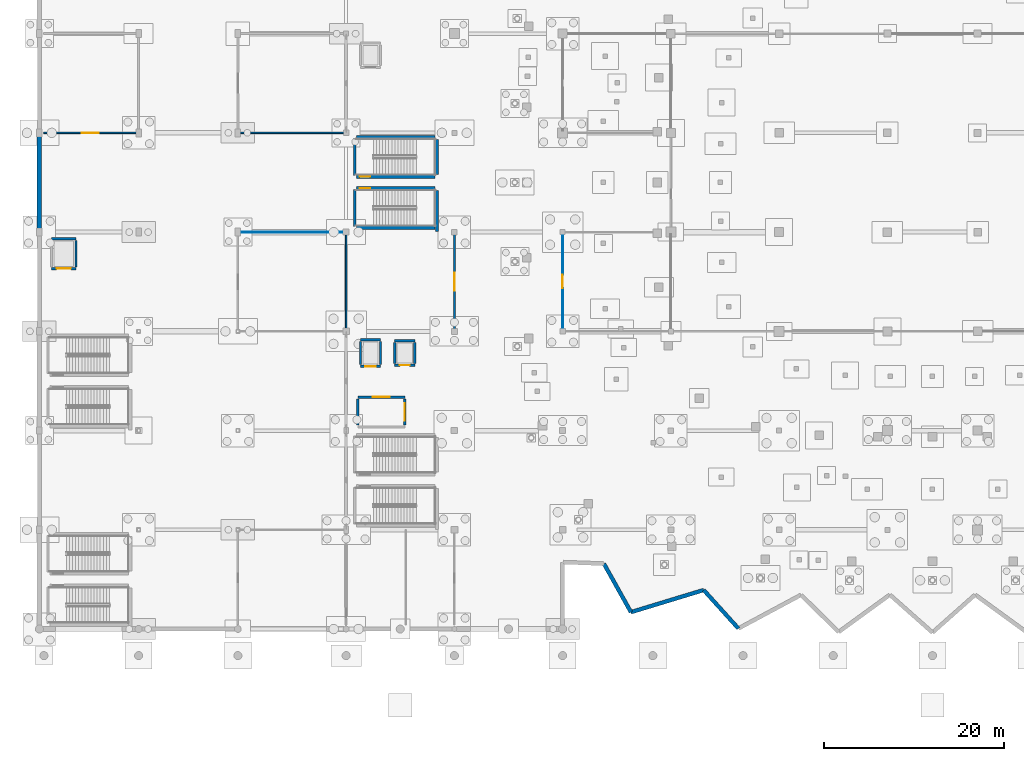
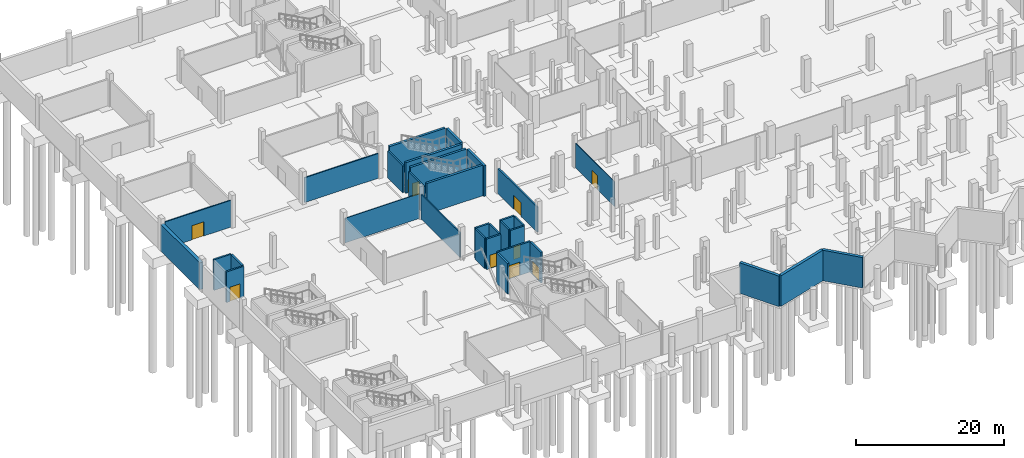
# One storey, part 30 of 60: 32 walls, 10 doors, 10 openings.
"""IFC4 building model written with IfcOpenShell, lengths in metres."""

from ifc_helpers import new_model, si_unit, direction, frame, frame_2d, origin, place, context, subcontext, project, spatial, rectangle, extrude, material, layer, layer_set, type_object, element, fill, save


model = new_model("IFC4")

# Units and contexts
model_context = context("Model", 3, precision=1e-05, world=origin(), true_north=direction((0.0, 1.0)))
body_context = subcontext(model_context, "Body", "Model", "MODEL_VIEW")
ifc_project = project(units=[si_unit("LENGTHUNIT", "METRE"), si_unit("AREAUNIT", "SQUARE_METRE"), si_unit("VOLUMEUNIT", "CUBIC_METRE"), si_unit("PLANEANGLEUNIT", "RADIAN"), si_unit("MASSUNIT", "GRAM", prefix="KILO")], contexts=[model_context])

# Site, building, storey
site_placement = place(None, origin())
site = spatial("IfcSite", under=ifc_project, at=site_placement, CompositionType="ELEMENT")
building_placement = place(site_placement, origin())
building = spatial("IfcBuilding", under=site, at=building_placement, Name="Luwafu Chhajja Arena", CompositionType="ELEMENT")
storey_placement = place(building_placement, frame((0.0, 0.0, -5.39990234375)))
storey = spatial("IfcBuildingStorey", under=building, at=storey_placement, Name="B1", CompositionType="ELEMENT", Elevation=-5.39990234375)

# Wall, opening, door
ifc_material_1 = material(Name="Concrete blockwork masonry", Category="masonry")
ifc_layer_1 = layer(ifc_material_1, 0.239990234375, Name="Concrete blockwork masonry")
ifc_layer_set_1 = layer_set([ifc_layer_1], Name="Concrete blockwork masonry")
wall_type_1 = type_object("IfcWallType", Name="Compartment Masonry Partition 240", PredefinedType="PARTITIONING", material=ifc_layer_set_1)
wall_1_placement = place(storey_placement, frame((46.0, 33.219970703125, 0.0), z_axis=(0.0, 0.0, 1.0), x_axis=(0.0, 1.0, 0.0)))
wall_1 = element("IfcWall", 1, at=wall_1_placement, inside=storey, type_object=wall_type_1, Name="B1 Internal Partition 0031", PredefinedType="PARTITIONING", context=body_context, shape_type="SweptSolid", body=[
    extrude(rectangle(XDim=10.56005859375, YDim=0.239990234375, at=frame_2d((5.280029296875, 0.0))), origin(), (0.0, 0.0, 1.0), 4.1298828125),
])
opening_1_placement = place(wall_1_placement, frame((4.280029296875, 0.0, 0.0)))
opening_1 = element("IfcOpeningElement", 2, at=opening_1_placement, cuts=wall_1, Name="Opening DR-08", PredefinedType="OPENING", context=body_context, shape_type="SweptSolid", body=[
    extrude(rectangle(XDim=2.0, YDim=2.25, at=frame_2d((1.0, 1.125))), frame((0.0, 0.1298828125, 0.0), z_axis=(0.0, -1.0, 0.0), x_axis=(1.0, 0.0, 0.0)), (0.0, 0.0, 1.0), 0.260009765625),
])
ifc_material_2 = material(Name="Fire-rated hardwood double leaf", Category="wood")
door_type_1 = type_object("IfcDoorType", Name="DR-08", OperationType="DOUBLE_DOOR_SINGLE_SWING", PredefinedType="DOOR", material=ifc_material_2)
door_1_placement = place(opening_1_placement, origin())
door_1 = element("IfcDoor", 3, at=door_1_placement, inside=storey, type_object=door_type_1, Name="B1 Interior Door B1-D037", OperationType="DOUBLE_DOOR_SINGLE_SWING", OverallHeight=2.25, OverallWidth=2.0, PredefinedType="DOOR", context=body_context, shape_type="SweptSolid", body=[
    extrude(rectangle(XDim=2.0, YDim=2.25, at=frame_2d((1.0, 1.125))), frame((0.0, 0.02490234375, 0.0), z_axis=(0.0, -1.0, 0.0), x_axis=(1.0, 0.0, 0.0)), (0.0, 0.0, 1.0), 0.050048828125),
])
fill(opening_1, door_1)

# Wall
ifc_material_3 = material(Name="Gypsum plasterboard partition")
ifc_layer_2 = layer(ifc_material_3, 0.10009765625, Name="Gypsum plasterboard partition")
ifc_layer_set_2 = layer_set([ifc_layer_2], Name="Gypsum plasterboard partition")
wall_type_2 = type_object("IfcWallType", Name="Drywall Lining Partition 100", PredefinedType="PARTITIONING", material=ifc_layer_set_2)
wall_2_placement = place(storey_placement, frame((22.219970703125, 44.0, 0.0), z_axis=(0.0, 0.0, 1.0), x_axis=(1.0, 0.0, 0.0)))
element("IfcWall", 4, at=wall_2_placement, inside=storey, type_object=wall_type_2, Name="B1 Internal Partition 0025", PredefinedType="PARTITIONING", context=body_context, shape_type="SweptSolid", body=[
    extrude(rectangle(XDim=11.56005859375, YDim=0.10009765625, at=frame_2d((5.780029296875, 0.0))), origin(), (0.0, 0.0, 1.0), 4.079833984375),
])

# Wall, opening, door
wall_3_placement = place(storey_placement, frame((58.0, 33.219970703125, 0.0), z_axis=(0.0, 0.0, 1.0), x_axis=(0.0, 1.0, 0.0)))
wall_3 = element("IfcWall", 5, at=wall_3_placement, inside=storey, type_object=wall_type_2, Name="B1 Internal Partition 0035", PredefinedType="PARTITIONING", context=body_context, shape_type="SweptSolid", body=[
    extrude(rectangle(XDim=10.56005859375, YDim=0.10009765625, at=frame_2d((5.280029296875, 0.0))), origin(), (0.0, 0.0, 1.0), 4.079833984375),
])
opening_2_placement = place(wall_3_placement, frame((4.530029296875, 0.0, 0.0)))
opening_2 = element("IfcOpeningElement", 6, at=opening_2_placement, cuts=wall_3, Name="Opening DR-30", PredefinedType="OPENING", context=body_context, shape_type="SweptSolid", body=[
    extrude(rectangle(XDim=1.5, YDim=2.300048828125, at=frame_2d((0.75, 1.14990234375))), frame((0.0, 0.06005859375, 0.0), z_axis=(0.0, -1.0, 0.0), x_axis=(1.0, 0.0, 0.0)), (0.0, 0.0, 1.0), 0.1201171875),
])
ifc_material_4 = material(Name="Anodised bronze glazed double door")
door_type_2 = type_object("IfcDoorType", Name="DR-30", OperationType="DOUBLE_DOOR_SINGLE_SWING", PredefinedType="DOOR", material=ifc_material_4)
door_2_placement = place(opening_2_placement, origin())
door_2 = element("IfcDoor", 7, at=door_2_placement, inside=storey, type_object=door_type_2, Name="B1 Interior Door B1-D040", OperationType="DOUBLE_DOOR_SINGLE_SWING", OverallHeight=2.300048828125, OverallWidth=1.5, PredefinedType="DOOR", context=body_context, shape_type="SweptSolid", body=[
    extrude(rectangle(XDim=1.5, YDim=2.300048828125, at=frame_2d((0.75, 1.14990234375))), frame((0.0, 0.02490234375, 0.0), z_axis=(0.0, -1.0, 0.0), x_axis=(1.0, 0.0, 0.0)), (0.0, 0.0, 1.0), 0.050048828125),
])
fill(opening_2, door_2)

ifc_material_5 = material(Name="Concrete C40/50", Category="concrete")
ifc_layer_3 = layer(ifc_material_5, 0.260009765625, Name="Concrete C40/50")
ifc_layer_set_3 = layer_set([ifc_layer_3], Name="Concrete C40/50")
wall_type_3 = type_object("IfcWallType", Name="Firefighting Lobby Wall 260", PredefinedType="SOLIDWALL", material=ifc_layer_set_3)
wall_4_placement = place(storey_placement, frame((35.300048828125, 25.699951171875, 0.0), z_axis=(0.0, 0.0, 1.0), x_axis=(1.0, 0.0, 0.0)))
wall_4 = element("IfcWall", 8, at=wall_4_placement, inside=storey, type_object=wall_type_3, Name="B1 Core C1 Firefighting Lobby Wall N", PredefinedType="SOLIDWALL", context=body_context, shape_type="SweptSolid", body=[
    extrude(rectangle(XDim=5.199951171875, YDim=0.260009765625, at=frame_2d((2.60009765625, 0.0))), origin(), (0.0, 0.0, 1.0), 5.039794921875),
])
opening_3_placement = place(wall_4_placement, frame((1.64990234375, 0.0, 0.0)))
opening_3 = element("IfcOpeningElement", 9, at=opening_3_placement, cuts=wall_4, Name="Opening DR-07", PredefinedType="OPENING", context=body_context, shape_type="SweptSolid", body=[
    extrude(rectangle(XDim=1.89990234375, YDim=2.199951171875, at=frame_2d((0.949951171875, 1.10009765625))), frame((0.0, 0.139892578125, 0.0), z_axis=(0.0, -1.0, 0.0), x_axis=(1.0, 0.0, 0.0)), (0.0, 0.0, 1.0), 0.280029296875),
])
ifc_material_6 = material(Name="Fire-rated hardwood and vision panel", Category="wood")
door_type_3 = type_object("IfcDoorType", Name="DR-07", OperationType="DOUBLE_DOOR_SINGLE_SWING", PredefinedType="DOOR", material=ifc_material_6)
door_3_placement = place(opening_3_placement, origin())
door_3 = element("IfcDoor", 10, at=door_3_placement, inside=storey, type_object=door_type_3, Name="B1 Firefighting Lobby C1 Door B1-D003", OperationType="DOUBLE_DOOR_SINGLE_SWING", OverallHeight=2.199951171875, OverallWidth=1.89990234375, PredefinedType="DOOR", context=body_context, shape_type="SweptSolid", body=[
    extrude(rectangle(XDim=1.89990234375, YDim=2.199951171875, at=frame_2d((0.949951171875, 1.10009765625))), frame((0.0, 0.02490234375, 0.0), z_axis=(0.0, -1.0, 0.0), x_axis=(1.0, 0.0, 0.0)), (0.0, 0.0, 1.0), 0.050048828125),
])
fill(opening_3, door_3)

# Wall
wall_5_placement = place(storey_placement, frame((35.300048828125, 22.60009765625, 0.0), z_axis=(0.0, 0.0, 1.0), x_axis=(0.0, 1.0, 0.0)))
element("IfcWall", 11, at=wall_5_placement, inside=storey, type_object=wall_type_3, Name="B1 Core C1 Firefighting Lobby Wall W", PredefinedType="SOLIDWALL", context=body_context, shape_type="SweptSolid", body=[
    extrude(rectangle(XDim=2.89990234375, YDim=0.260009765625, at=frame_2d((1.449951171875, 0.0))), origin(), (0.0, 0.0, 1.0), 5.039794921875),
])

# Wall, opening, door
wall_6_placement = place(storey_placement, frame((40.5, 22.60009765625, 0.0), z_axis=(0.0, 0.0, 1.0), x_axis=(0.0, 1.0, 0.0)))
wall_6 = element("IfcWall", 12, at=wall_6_placement, inside=storey, type_object=wall_type_3, Name="B1 Core C1 Firefighting Lobby Wall E", PredefinedType="SOLIDWALL", context=body_context, shape_type="SweptSolid", body=[
    extrude(rectangle(XDim=2.89990234375, YDim=0.260009765625, at=frame_2d((1.449951171875, 0.0))), origin(), (0.0, 0.0, 1.0), 5.039794921875),
])
opening_4_placement = place(wall_6_placement, frame((0.5, 0.0, 0.0)))
opening_4 = element("IfcOpeningElement", 13, at=opening_4_placement, cuts=wall_6, Name="Opening DR-07", PredefinedType="OPENING", context=body_context, shape_type="SweptSolid", body=[
    extrude(rectangle(XDim=1.89990234375, YDim=2.199951171875, at=frame_2d((0.949951171875, 1.10009765625))), frame((0.0, 0.139892578125, 0.0), z_axis=(0.0, -1.0, 0.0), x_axis=(1.0, 0.0, 0.0)), (0.0, 0.0, 1.0), 0.280029296875),
])
door_4_placement = place(opening_4_placement, origin())
door_4 = element("IfcDoor", 14, at=door_4_placement, inside=storey, type_object=door_type_3, Name="B1 Firefighting Lobby C1 Door B1-D004", OperationType="DOUBLE_DOOR_SINGLE_SWING", OverallHeight=2.199951171875, OverallWidth=1.89990234375, PredefinedType="DOOR", context=body_context, shape_type="SweptSolid", body=[
    extrude(rectangle(XDim=1.89990234375, YDim=2.199951171875, at=frame_2d((0.949951171875, 1.10009765625))), frame((0.0, 0.02490234375, 0.0), z_axis=(0.0, -1.0, 0.0), x_axis=(1.0, 0.0, 0.0)), (0.0, 0.0, 1.0), 0.050048828125),
])
fill(opening_4, door_4)

ifc_layer_4 = layer(ifc_material_1, 0.179931640625, Name="Concrete blockwork masonry")
ifc_layer_set_4 = layer_set([ifc_layer_4], Name="Concrete blockwork masonry")
wall_type_4 = type_object("IfcWallType", Name="Hospitality Suite Partition 180", PredefinedType="PARTITIONING", material=ifc_layer_set_4)
wall_7_placement = place(storey_placement, frame((0.47998046875, 55.0, 0.0), z_axis=(0.0, 0.0, 1.0), x_axis=(1.0, 0.0, 0.0)))
wall_7 = element("IfcWall", 15, at=wall_7_placement, inside=storey, type_object=wall_type_4, Name="B1 Internal Partition 0013", PredefinedType="PARTITIONING", context=body_context, shape_type="SweptSolid", body=[
    extrude(rectangle(XDim=10.300048828125, YDim=0.179931640625, at=frame_2d((5.14990234375, 0.0))), origin(), (0.0, 0.0, 1.0), 4.40966796875),
])
opening_5_placement = place(wall_7_placement, frame((4.22509765625, 0.0, 0.0)))
opening_5 = element("IfcOpeningElement", 16, at=opening_5_placement, cuts=wall_7, Name="Opening DR-15", PredefinedType="OPENING", context=body_context, shape_type="SweptSolid", body=[
    extrude(rectangle(XDim=1.85009765625, YDim=2.35009765625, at=frame_2d((0.925048828125, 1.175048828125))), frame((0.0, 0.099853515625, 0.0), z_axis=(0.0, -1.0, 0.0), x_axis=(1.0, 0.0, 0.0)), (0.0, 0.0, 1.0), 0.199951171875),
])
ifc_material_7 = material(Name="Anodised bronze and acoustic glass", Category="glass")
door_type_4 = type_object("IfcDoorType", Name="DR-15", OperationType="DOUBLE_DOOR_SINGLE_SWING", PredefinedType="DOOR", material=ifc_material_7)
door_5_placement = place(opening_5_placement, origin())
door_5 = element("IfcDoor", 17, at=door_5_placement, inside=storey, type_object=door_type_4, Name="B1 Interior Door B1-D030", OperationType="DOUBLE_DOOR_SINGLE_SWING", OverallHeight=2.35009765625, OverallWidth=1.85009765625, PredefinedType="DOOR", context=body_context, shape_type="SweptSolid", body=[
    extrude(rectangle(XDim=1.85009765625, YDim=2.35009765625, at=frame_2d((0.925048828125, 1.175048828125))), frame((0.0, 0.02490234375, 0.0), z_axis=(0.0, -1.0, 0.0), x_axis=(1.0, 0.0, 0.0)), (0.0, 0.0, 1.0), 0.050048828125),
])
fill(opening_5, door_5)

# Walls
wall_8_placement = place(storey_placement, frame((22.219970703125, 55.0, 0.0), z_axis=(0.0, 0.0, 1.0), x_axis=(1.0, 0.0, 0.0)))
element("IfcWall", 18, at=wall_8_placement, inside=storey, type_object=wall_type_4, Name="B1 Internal Partition 0026", PredefinedType="PARTITIONING", context=body_context, shape_type="SweptSolid", body=[
    extrude(rectangle(XDim=11.56005859375, YDim=0.179931640625, at=frame_2d((5.780029296875, 0.0))), origin(), (0.0, 0.0, 1.0), 4.079833984375),
])
wall_9_placement = place(storey_placement, frame((34.0, 33.219970703125, 0.0), z_axis=(0.0, 0.0, 1.0), x_axis=(0.0, 1.0, 0.0)))
element("IfcWall", 19, at=wall_9_placement, inside=storey, type_object=wall_type_4, Name="B1 Internal Partition 0103", PredefinedType="PARTITIONING", context=body_context, shape_type="SweptSolid", body=[
    extrude(rectangle(XDim=10.56005859375, YDim=0.179931640625, at=frame_2d((5.280029296875, 0.0))), origin(), (0.0, 0.0, 1.0), 4.079833984375),
])

# Wall, opening, door
ifc_material_8 = material(Name="Concrete C35/45", Category="concrete")
ifc_layer_5 = layer(ifc_material_8, 0.260009765625, Name="Concrete C35/45")
ifc_layer_set_5 = layer_set([ifc_layer_5], Name="Concrete C35/45")
wall_type_5 = type_object("IfcWallType", Name="Lift and Riser Shaft Wall 260", PredefinedType="SOLIDWALL", material=ifc_layer_set_5)
wall_10_placement = place(storey_placement, frame((35.590087890625, 29.114990234375, 0.0), z_axis=(0.0, 0.0, 1.0), x_axis=(1.0, 0.0, 0.0)))
wall_10 = element("IfcWall", 20, at=wall_10_placement, inside=storey, type_object=wall_type_5, Name="B1 Lift LF-01 Shaft Wall S", PredefinedType="SOLIDWALL", context=body_context, shape_type="SweptSolid", body=[
    extrude(rectangle(XDim=2.219970703125, YDim=0.260009765625, at=frame_2d((1.10986328125, 0.0))), origin(), (0.0, 0.0, 1.0), 5.039794921875),
])
opening_6_placement = place(wall_10_placement, frame((0.510009765625, 0.0, 0.0)))
opening_6 = element("IfcOpeningElement", 21, at=opening_6_placement, cuts=wall_10, Name="Opening LD-02", PredefinedType="OPENING", context=body_context, shape_type="SweptSolid", body=[
    extrude(rectangle(XDim=1.199951171875, YDim=2.199951171875, at=frame_2d((0.60009765625, 1.10009765625))), frame((0.0, 0.139892578125, 0.0), z_axis=(0.0, -1.0, 0.0), x_axis=(1.0, 0.0, 0.0)), (0.0, 0.0, 1.0), 0.280029296875),
])
ifc_material_9 = material(Name="Brushed stainless steel sliding leaves", Category="steel")
door_type_5 = type_object("IfcDoorType", Name="LD-02", OperationType="SLIDING_TO_LEFT", PredefinedType="DOOR", material=ifc_material_9)
door_6_placement = place(opening_6_placement, origin())
door_6 = element("IfcDoor", 22, at=door_6_placement, inside=storey, type_object=door_type_5, Name="B1 Lift LF-01 Landing Door B1-LD01", OperationType="SLIDING_TO_LEFT", OverallHeight=2.199951171875, OverallWidth=1.199951171875, PredefinedType="DOOR", context=body_context, shape_type="SweptSolid", body=[
    extrude(rectangle(XDim=1.199951171875, YDim=2.199951171875, at=frame_2d((0.60009765625, 1.10009765625))), frame((0.0, 0.02490234375, 0.0), z_axis=(0.0, -1.0, 0.0), x_axis=(1.0, 0.0, 0.0)), (0.0, 0.0, 1.0), 0.050048828125),
])
fill(opening_6, door_6)

# Walls
wall_11_placement = place(storey_placement, frame((35.590087890625, 32.0849609375, 0.0), z_axis=(0.0, 0.0, 1.0), x_axis=(1.0, 0.0, 0.0)))
element("IfcWall", 23, at=wall_11_placement, inside=storey, type_object=wall_type_5, Name="B1 Lift LF-01 Shaft Wall N", PredefinedType="SOLIDWALL", context=body_context, shape_type="SweptSolid", body=[
    extrude(rectangle(XDim=2.219970703125, YDim=0.260009765625, at=frame_2d((1.10986328125, 0.0))), origin(), (0.0, 0.0, 1.0), 5.039794921875),
])
for number, where, z_axis, x_axis, name in (
    (24, (35.590087890625, 29.31494140625, 0.0), (0.0, 0.0, 1.0), (0.0, 1.0, 0.0), "B1 Lift LF-01 Shaft Wall W"),
    (25, (37.81005859375, 29.31494140625, 0.0), (0.0, 0.0, 1.0), (0.0, 1.0, 0.0), "B1 Lift LF-01 Shaft Wall E"),
):
    element("IfcWall", number, at=place(storey_placement, frame(where, z_axis=z_axis, x_axis=x_axis)), inside=storey, type_object=wall_type_5, Name=name, PredefinedType="SOLIDWALL", context=body_context, shape_type="SweptSolid", body=[
        extrude(rectangle(XDim=2.570068359375, YDim=0.260009765625, at=frame_2d((1.28515625, 0.0))), origin(), (0.0, 0.0, 1.0), 5.039794921875),
    ])

# Wall, opening, door
wall_12_placement = place(storey_placement, frame((39.389892578125, 29.239990234375, 0.0), z_axis=(0.0, 0.0, 1.0), x_axis=(1.0, 0.0, 0.0)))
wall_12 = element("IfcWall", 26, at=wall_12_placement, inside=storey, type_object=wall_type_5, Name="B1 Lift LF-05 Shaft Wall S", PredefinedType="SOLIDWALL", context=body_context, shape_type="SweptSolid", body=[
    extrude(rectangle(XDim=2.22021484375, YDim=0.260009765625, at=frame_2d((1.110107421875, 0.0))), origin(), (0.0, 0.0, 1.0), 5.039794921875),
])
opening_7_placement = place(wall_12_placement, frame((0.56005859375, 0.0, 0.0)))
opening_7 = element("IfcOpeningElement", 27, at=opening_7_placement, cuts=wall_12, Name="Opening LD-01", PredefinedType="OPENING", context=body_context, shape_type="SweptSolid", body=[
    extrude(rectangle(XDim=1.10009765625, YDim=2.14990234375, at=frame_2d((0.550048828125, 1.074951171875))), frame((0.0, 0.139892578125, 0.0), z_axis=(0.0, -1.0, 0.0), x_axis=(1.0, 0.0, 0.0)), (0.0, 0.0, 1.0), 0.280029296875),
])
door_type_6 = type_object("IfcDoorType", Name="LD-01", OperationType="SLIDING_TO_LEFT", PredefinedType="DOOR", material=ifc_material_9)
door_7_placement = place(opening_7_placement, origin())
door_7 = element("IfcDoor", 28, at=door_7_placement, inside=storey, type_object=door_type_6, Name="B1 Lift LF-05 Landing Door B1-LD02", OperationType="SLIDING_TO_LEFT", OverallHeight=2.14990234375, OverallWidth=1.10009765625, PredefinedType="DOOR", context=body_context, shape_type="SweptSolid", body=[
    extrude(rectangle(XDim=1.10009765625, YDim=2.14990234375, at=frame_2d((0.550048828125, 1.074951171875))), frame((0.0, 0.02490234375, 0.0), z_axis=(0.0, -1.0, 0.0), x_axis=(1.0, 0.0, 0.0)), (0.0, 0.0, 1.0), 0.050048828125),
])
fill(opening_7, door_7)

# Walls
wall_13_placement = place(storey_placement, frame((39.389892578125, 31.9599609375, 0.0), z_axis=(0.0, 0.0, 1.0), x_axis=(1.0, 0.0, 0.0)))
element("IfcWall", 29, at=wall_13_placement, inside=storey, type_object=wall_type_5, Name="B1 Lift LF-05 Shaft Wall N", PredefinedType="SOLIDWALL", context=body_context, shape_type="SweptSolid", body=[
    extrude(rectangle(XDim=2.22021484375, YDim=0.260009765625, at=frame_2d((1.110107421875, 0.0))), origin(), (0.0, 0.0, 1.0), 5.039794921875),
])
for number, where, z_axis, x_axis, name in (
    (30, (39.389892578125, 29.43994140625, 0.0), (0.0, 0.0, 1.0), (0.0, 1.0, 0.0), "B1 Lift LF-05 Shaft Wall W"),
    (31, (41.610107421875, 29.43994140625, 0.0), (0.0, 0.0, 1.0), (0.0, 1.0, 0.0), "B1 Lift LF-05 Shaft Wall E"),
):
    element("IfcWall", number, at=place(storey_placement, frame(where, z_axis=z_axis, x_axis=x_axis)), inside=storey, type_object=wall_type_5, Name=name, PredefinedType="SOLIDWALL", context=body_context, shape_type="SweptSolid", body=[
        extrude(rectangle(XDim=2.320068359375, YDim=0.260009765625, at=frame_2d((1.16015625, 0.0))), origin(), (0.0, 0.0, 1.0), 5.039794921875),
    ])

# Wall, opening, door
wall_14_placement = place(storey_placement, frame((1.340087890625, 39.93994140625, 0.0), z_axis=(0.0, 0.0, 1.0), x_axis=(1.0, 0.0, 0.0)))
wall_14 = element("IfcWall", 32, at=wall_14_placement, inside=storey, type_object=wall_type_5, Name="B1 Lift LF-11 Shaft Wall S", PredefinedType="SOLIDWALL", context=body_context, shape_type="SweptSolid", body=[
    extrude(rectangle(XDim=2.719970703125, YDim=0.260009765625, at=frame_2d((1.35986328125, 0.0))), origin(), (0.0, 0.0, 1.0), 5.039794921875),
])
opening_8_placement = place(wall_14_placement, frame((0.56005859375, 0.0, 0.0)))
opening_8 = element("IfcOpeningElement", 33, at=opening_8_placement, cuts=wall_14, Name="Opening LD-03", PredefinedType="OPENING", context=body_context, shape_type="SweptSolid", body=[
    extrude(rectangle(XDim=1.60009765625, YDim=2.35009765625, at=frame_2d((0.800048828125, 1.175048828125))), frame((0.0, 0.139892578125, 0.0), z_axis=(0.0, -1.0, 0.0), x_axis=(1.0, 0.0, 0.0)), (0.0, 0.0, 1.0), 0.280029296875),
])
door_type_7 = type_object("IfcDoorType", Name="LD-03", OperationType="DOUBLE_DOOR_SLIDING", PredefinedType="DOOR", material=ifc_material_9)
door_8_placement = place(opening_8_placement, origin())
door_8 = element("IfcDoor", 34, at=door_8_placement, inside=storey, type_object=door_type_7, Name="B1 Lift LF-11 Landing Door B1-LD11", OperationType="DOUBLE_DOOR_SLIDING", OverallHeight=2.35009765625, OverallWidth=1.60009765625, PredefinedType="DOOR", context=body_context, shape_type="SweptSolid", body=[
    extrude(rectangle(XDim=1.60009765625, YDim=2.35009765625, at=frame_2d((0.800048828125, 1.175048828125))), frame((0.0, 0.02490234375, 0.0), z_axis=(0.0, -1.0, 0.0), x_axis=(1.0, 0.0, 0.0)), (0.0, 0.0, 1.0), 0.050048828125),
])
fill(opening_8, door_8)

# Walls
wall_15_placement = place(storey_placement, frame((1.340087890625, 43.260009765625, 0.0), z_axis=(0.0, 0.0, 1.0), x_axis=(1.0, 0.0, 0.0)))
element("IfcWall", 35, at=wall_15_placement, inside=storey, type_object=wall_type_5, Name="B1 Lift LF-11 Shaft Wall N", PredefinedType="SOLIDWALL", context=body_context, shape_type="SweptSolid", body=[
    extrude(rectangle(XDim=2.719970703125, YDim=0.260009765625, at=frame_2d((1.35986328125, 0.0))), origin(), (0.0, 0.0, 1.0), 5.039794921875),
])
wall_16_placement = place(storey_placement, frame((4.06005859375, 40.139892578125, 0.0), z_axis=(0.0, 0.0, 1.0), x_axis=(0.0, 1.0, 0.0)))
element("IfcWall", 36, at=wall_16_placement, inside=storey, type_object=wall_type_5, Name="B1 Lift LF-11 Shaft Wall E", PredefinedType="SOLIDWALL", context=body_context, shape_type="SweptSolid", body=[
    extrude(rectangle(XDim=2.920166015625, YDim=0.260009765625, at=frame_2d((1.4599609375, 0.0))), origin(), (0.0, 0.0, 1.0), 5.039794921875),
])
ifc_layer_6 = layer(ifc_material_5, 0.43994140625, Name="Concrete C40/50")
ifc_layer_set_6 = layer_set([ifc_layer_6], Name="Concrete C40/50")
wall_type_6 = type_object("IfcWallType", Name="RC Basement Retaining Wall 440", PredefinedType="SOLIDWALL", material=ifc_layer_set_6)
wall_17_placement = place(storey_placement, frame((62.57421875, 7.23681640625, 0.0), z_axis=(0.0, 0.0, 1.0), x_axis=(0.487306352228, -0.87323108, 0.0)))
element("IfcWall", 37, at=wall_17_placement, inside=storey, type_object=wall_type_6, Name="B1 Pleated Bowl V-Fold Wall 42", PredefinedType="SOLIDWALL", context=body_context, shape_type="SweptSolid", body=[
    extrude(rectangle(XDim=6.15283203125, YDim=0.43994140625, at=frame_2d((3.076416015625, 0.0))), origin(), (0.0, 0.0, 1.0), 5.034912109375),
])
wall_18_placement = place(storey_placement, frame((65.572509765625, 1.864013671875, 0.0), z_axis=(0.0, 0.0, 1.0), x_axis=(0.956738407321, 0.290949514446, 0.0)))
element("IfcWall", 38, at=wall_18_placement, inside=storey, type_object=wall_type_6, Name="B1 Pleated Bowl V-Fold Wall 43", PredefinedType="SOLIDWALL", context=body_context, shape_type="SweptSolid", body=[
    extrude(rectangle(XDim=8.427978515625, YDim=0.43994140625, at=frame_2d((4.2138671875, 0.0))), origin(), (0.0, 0.0, 1.0), 5.034912109375),
])
wall_19_placement = place(storey_placement, frame((73.635986328125, 4.316162109375, 0.0), z_axis=(0.0, 0.0, 1.0), x_axis=(0.670348131104, -0.742046752654, 0.0)))
element("IfcWall", 39, at=wall_19_placement, inside=storey, type_object=wall_type_6, Name="B1 Pleated Bowl V-Fold Wall 44", PredefinedType="SOLIDWALL", context=body_context, shape_type="SweptSolid", body=[
    extrude(rectangle(XDim=5.747802734375, YDim=0.43994140625, at=frame_2d((2.8740234375, 0.0))), origin(), (0.0, 0.0, 1.0), 5.034912109375),
])
ifc_layer_7 = layer(ifc_material_5, 0.52001953125, Name="Concrete C40/50")
ifc_layer_set_7 = layer_set([ifc_layer_7], Name="Concrete C40/50")
wall_type_7 = type_object("IfcWallType", Name="RC Basement Retaining Wall 520", PredefinedType="SOLIDWALL", material=ifc_layer_set_7)
wall_20_placement = place(storey_placement, frame((0.0, 44.219970703125, 0.0), z_axis=(0.0, 0.0, 1.0), x_axis=(0.0, 1.0, 0.0)))
element("IfcWall", 40, at=wall_20_placement, inside=storey, type_object=wall_type_7, Name="B1 Exterior Wall WEX-B1-006", PredefinedType="SOLIDWALL", context=body_context, shape_type="SweptSolid", body=[
    extrude(rectangle(XDim=10.56005859375, YDim=0.52001953125, at=frame_2d((5.280029296875, 0.0))), origin(), (0.0, 0.0, 1.0), 4.417724609375),
])
ifc_layer_8 = layer(ifc_material_5, 0.35009765625, Name="Concrete C40/50")
ifc_layer_set_8 = layer_set([ifc_layer_8], Name="Concrete C40/50")
wall_type_8 = type_object("IfcWallType", Name="RC Core Shear Wall 350", PredefinedType="SOLIDWALL", material=ifc_layer_set_8)
wall_21_placement = place(storey_placement, frame((44.072021484375, 44.050048828125, 0.0), z_axis=(0.0, 0.0, 1.0), x_axis=(0.0, 1.0, 0.0)))
element("IfcWall", 41, at=wall_21_placement, inside=storey, type_object=wall_type_8, Name="B1 Stair ST-09 Core Shear Wall E", PredefinedType="SOLIDWALL", context=body_context, shape_type="SweptSolid", body=[
    extrude(rectangle(XDim=4.5400390625, YDim=0.35009765625, at=frame_2d((2.27001953125, 0.0))), origin(), (0.0, 0.0, 1.0), 5.039794921875),
])
wall_22_placement = place(storey_placement, frame((35.14990234375, 44.47802734375, 0.0), z_axis=(0.0, 0.0, 1.0), x_axis=(1.0, 0.0, 0.0)))
element("IfcWall", 42, at=wall_22_placement, inside=storey, type_object=wall_type_8, Name="B1 Stair ST-09 Core Shear Wall S", PredefinedType="SOLIDWALL", context=body_context, shape_type="SweptSolid", body=[
    extrude(rectangle(XDim=8.7001953125, YDim=0.35009765625, at=frame_2d((4.35009765625, 0.0))), origin(), (0.0, 0.0, 1.0), 5.039794921875),
])

# Wall, opening, door
wall_23_placement = place(storey_placement, frame((35.14990234375, 48.862060546875, 0.0), z_axis=(0.0, 0.0, 1.0), x_axis=(1.0, 0.0, 0.0)))
wall_23 = element("IfcWall", 43, at=wall_23_placement, inside=storey, type_object=wall_type_8, Name="B1 Stair ST-09 Core Shear Wall N", PredefinedType="SOLIDWALL", context=body_context, shape_type="SweptSolid", body=[
    extrude(rectangle(XDim=8.7001953125, YDim=0.35009765625, at=frame_2d((4.35009765625, 0.0))), origin(), (0.0, 0.0, 1.0), 5.039794921875),
])
opening_9_placement = place(wall_23_placement, frame((0.35009765625, 0.0, 0.0)))
opening_9 = element("IfcOpeningElement", 44, at=opening_9_placement, cuts=wall_23, Name="Opening DR-06", PredefinedType="OPENING", context=body_context, shape_type="SweptSolid", body=[
    extrude(rectangle(XDim=1.14990234375, YDim=2.199951171875, at=frame_2d((0.574951171875, 1.10009765625))), frame((0.0, 0.18505859375, 0.0), z_axis=(0.0, -1.0, 0.0), x_axis=(1.0, 0.0, 0.0)), (0.0, 0.0, 1.0), 0.3701171875),
])
ifc_material_10 = material(Name="Fire-rated hardwood and steel core", Category="steel")
door_type_8 = type_object("IfcDoorType", Name="DR-06", OperationType="NOTDEFINED", PredefinedType="DOOR", material=ifc_material_10)
door_9_placement = place(opening_9_placement, origin())
door_9 = element("IfcDoor", 45, at=door_9_placement, inside=storey, type_object=door_type_8, Name="B1 Escape Stair ST-09 Fire Door B1-D017", OperationType="SINGLE_SWING_RIGHT", OverallHeight=2.199951171875, OverallWidth=1.14990234375, PredefinedType="DOOR", context=body_context, shape_type="SweptSolid", body=[
    extrude(rectangle(XDim=1.14990234375, YDim=2.199951171875, at=frame_2d((0.574951171875, 1.10009765625))), frame((0.0, 0.02490234375, 0.0), z_axis=(0.0, -1.0, 0.0), x_axis=(1.0, 0.0, 0.0)), (0.0, 0.0, 1.0), 0.050048828125),
])
fill(opening_9, door_9)

# Wall
wall_24_placement = place(storey_placement, frame((44.072021484375, 50.409912109375, 0.0), z_axis=(0.0, 0.0, 1.0), x_axis=(0.0, 1.0, 0.0)))
element("IfcWall", 46, at=wall_24_placement, inside=storey, type_object=wall_type_8, Name="B1 Stair ST-10 Core Shear Wall E", PredefinedType="SOLIDWALL", context=body_context, shape_type="SweptSolid", body=[
    extrude(rectangle(XDim=3.840087890625, YDim=0.35009765625, at=frame_2d((1.919921875, 0.0))), origin(), (0.0, 0.0, 1.0), 5.039794921875),
])

# Wall, opening, door
wall_25_placement = place(storey_placement, frame((35.14990234375, 50.137939453125, 0.0), z_axis=(0.0, 0.0, 1.0), x_axis=(1.0, 0.0, 0.0)))
wall_25 = element("IfcWall", 47, at=wall_25_placement, inside=storey, type_object=wall_type_8, Name="B1 Stair ST-10 Core Shear Wall S", PredefinedType="SOLIDWALL", context=body_context, shape_type="SweptSolid", body=[
    extrude(rectangle(XDim=8.7001953125, YDim=0.35009765625, at=frame_2d((4.35009765625, 0.0))), origin(), (0.0, 0.0, 1.0), 5.039794921875),
])
opening_10_placement = place(wall_25_placement, frame((0.35009765625, 0.0, 0.0)))
opening_10 = element("IfcOpeningElement", 48, at=opening_10_placement, cuts=wall_25, Name="Opening DR-06", PredefinedType="OPENING", context=body_context, shape_type="SweptSolid", body=[
    extrude(rectangle(XDim=1.14990234375, YDim=2.199951171875, at=frame_2d((0.574951171875, 1.10009765625))), frame((0.0, 0.18505859375, 0.0), z_axis=(0.0, -1.0, 0.0), x_axis=(1.0, 0.0, 0.0)), (0.0, 0.0, 1.0), 0.3701171875),
])
door_10_placement = place(opening_10_placement, origin())
door_10 = element("IfcDoor", 49, at=door_10_placement, inside=storey, type_object=door_type_8, Name="B1 Escape Stair ST-10 Fire Door B1-D018", OperationType="SINGLE_SWING_LEFT", OverallHeight=2.199951171875, OverallWidth=1.14990234375, PredefinedType="DOOR", context=body_context, shape_type="SweptSolid", body=[
    extrude(rectangle(XDim=1.14990234375, YDim=2.199951171875, at=frame_2d((0.574951171875, 1.10009765625))), frame((0.0, 0.02490234375, 0.0), z_axis=(0.0, -1.0, 0.0), x_axis=(1.0, 0.0, 0.0)), (0.0, 0.0, 1.0), 0.050048828125),
])
fill(opening_10, door_10)

# Walls
wall_26_placement = place(storey_placement, frame((35.14990234375, 54.52197265625, 0.0), z_axis=(0.0, 0.0, 1.0), x_axis=(1.0, 0.0, 0.0)))
element("IfcWall", 50, at=wall_26_placement, inside=storey, type_object=wall_type_8, Name="B1 Stair ST-10 Core Shear Wall N", PredefinedType="SOLIDWALL", context=body_context, shape_type="SweptSolid", body=[
    extrude(rectangle(XDim=8.7001953125, YDim=0.35009765625, at=frame_2d((4.35009765625, 0.0))), origin(), (0.0, 0.0, 1.0), 5.039794921875),
])
ifc_layer_9 = layer(ifc_material_8, 0.22998046875, Name="Concrete C35/45")
ifc_layer_set_9 = layer_set([ifc_layer_9], Name="Concrete C35/45")
wall_type_9 = type_object("IfcWallType", Name="Stair Enclosure Wall 230", PredefinedType="SOLIDWALL", material=ifc_layer_set_9)
for number, where, z_axis, x_axis, name in (
    (51, (34.9599609375, 44.6298828125, 0.0), (0.0, 0.0, 1.0), (0.0, 1.0, 0.0), "B1 Stair ST-09 Enclosure Wall W"),
    (52, (34.9599609375, 50.2900390625, 0.0), (0.0, 0.0, 1.0), (0.0, 1.0, 0.0), "B1 Stair ST-10 Enclosure Wall W"),
):
    element("IfcWall", number, at=place(storey_placement, frame(where, z_axis=z_axis, x_axis=x_axis)), inside=storey, type_object=wall_type_9, Name=name, PredefinedType="SOLIDWALL", context=body_context, shape_type="SweptSolid", body=[
        extrude(rectangle(XDim=4.080078125, YDim=0.22998046875, at=frame_2d((2.0400390625, 0.0))), origin(), (0.0, 0.0, 1.0), 4.429931640625),
    ])

save(model, "model.ifc")
